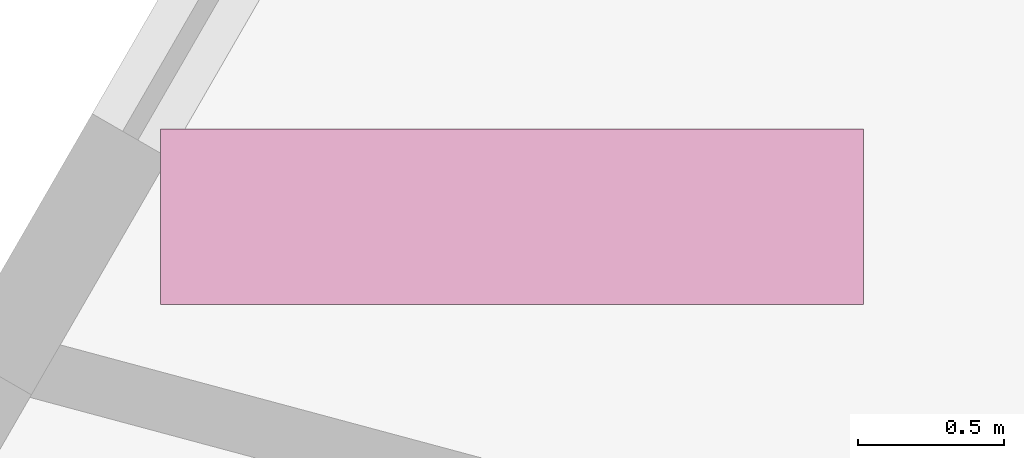
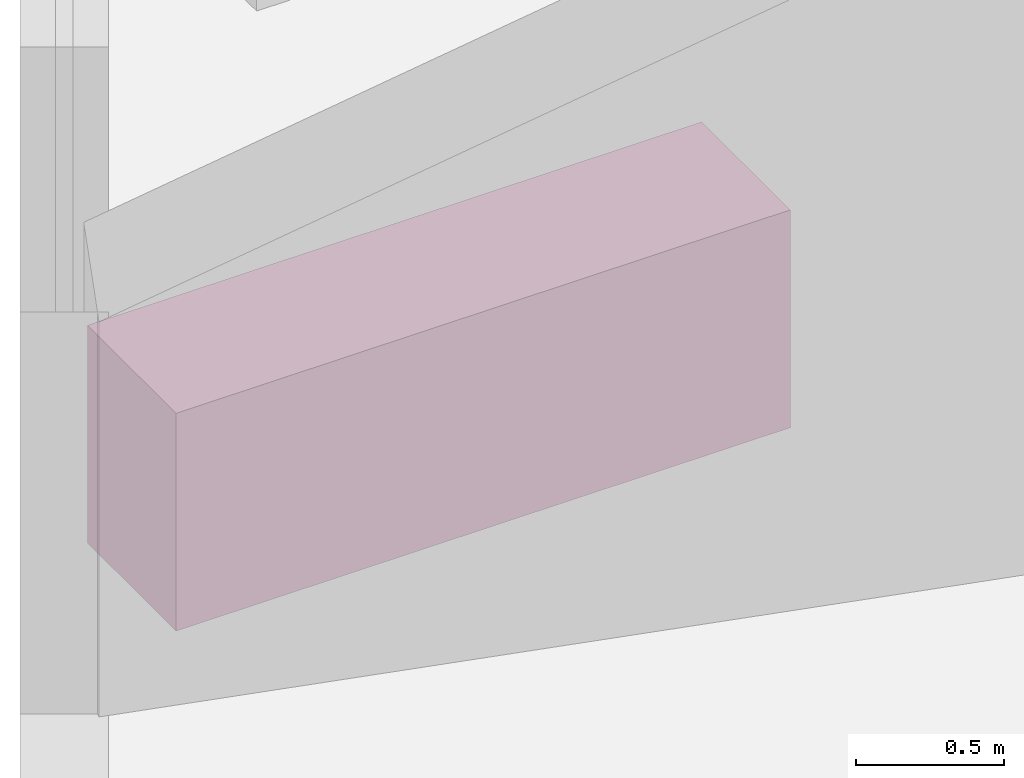
# One storey, part 8 of 8: 1 furniture element.
"""IFC4 building model written with IfcOpenShell, lengths in metres."""

from ifc_helpers import new_model, si_unit, direction, frame, origin, origin_2d, place, context, subcontext, project, spatial, rectangle, extrude, material, type_object, element, save


model = new_model("IFC4")

# Units and contexts
model_context = context("Model", 3, precision=1e-05, world=origin(), true_north=direction((0.0, 1.0)))
body_context = subcontext(model_context, "Body", "Model", "MODEL_VIEW")
ifc_project = project(units=[si_unit("LENGTHUNIT", "METRE"), si_unit("AREAUNIT", "SQUARE_METRE"), si_unit("VOLUMEUNIT", "CUBIC_METRE"), si_unit("PLANEANGLEUNIT", "RADIAN"), si_unit("MASSUNIT", "GRAM", prefix="KILO")], contexts=[model_context])

# Site, building, storey
site_placement = place(None, origin())
site = spatial("IfcSite", under=ifc_project, at=site_placement, CompositionType="ELEMENT")
building_placement = place(site_placement, origin())
building = spatial("IfcBuilding", under=site, at=building_placement, Name="Cormorant Prow Tower", CompositionType="ELEMENT")
storey_placement = place(building_placement, frame((0.0, 0.0, 25.5)))
storey = spatial("IfcBuildingStorey", under=building, at=storey_placement, Name="L04", CompositionType="ELEMENT", Elevation=25.5)

# Furniture
ifc_material = material(Name="Timber joinery", Category="wood")
furniture_type = type_object("IfcFurnitureType", Name="Kitchen counter 2400x600", AssemblyPlace="NOTDEFINED", PredefinedType="NOTDEFINED", material=ifc_material)
furniture_placement = place(storey_placement, frame((-27.59912109375, -5.604248046875, 0.0), z_axis=(0.0, 0.0, 1.0), x_axis=(1.0, 0.0, 0.0)))
element("IfcFurniture", 1, at=furniture_placement, inside=storey, type_object=furniture_type, Name="Kitchen counter", PredefinedType="NOTDEFINED", context=body_context, shape_type="SweptSolid", body=[
    extrude(rectangle(XDim=2.39990234375, YDim=0.60009765625, at=origin_2d()), origin(), (0.0, 0.0, 1.0), 0.89990234375),
])

save(model, "model.ifc")
